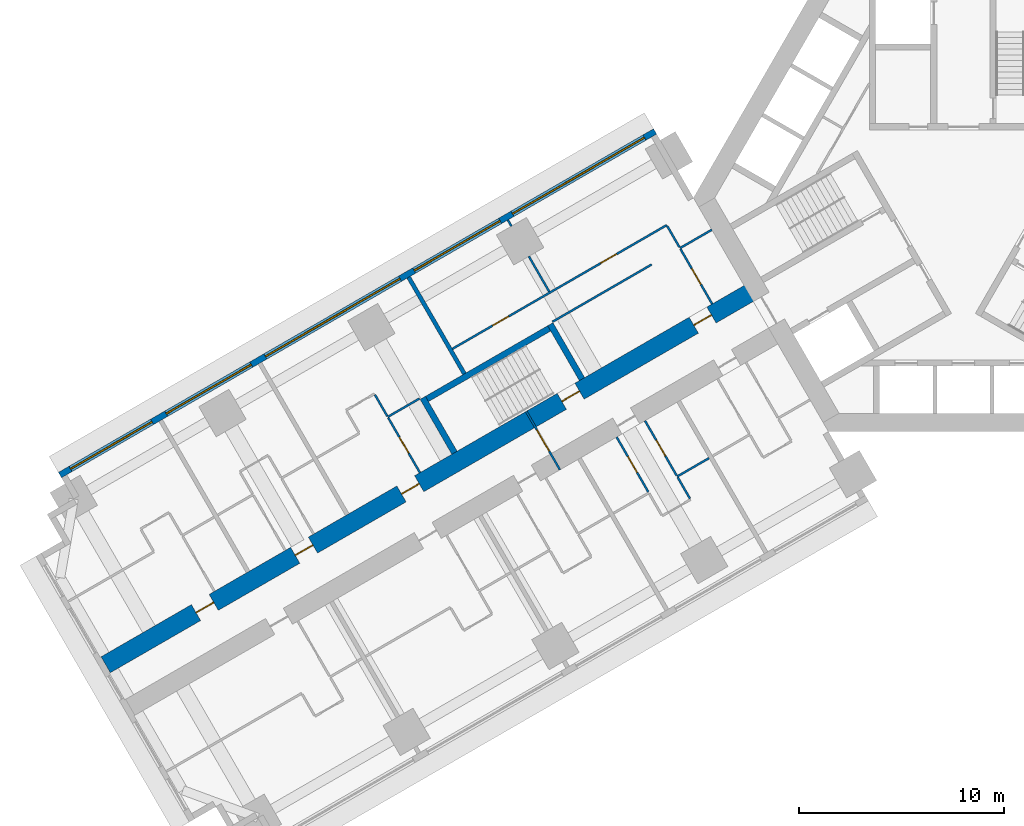
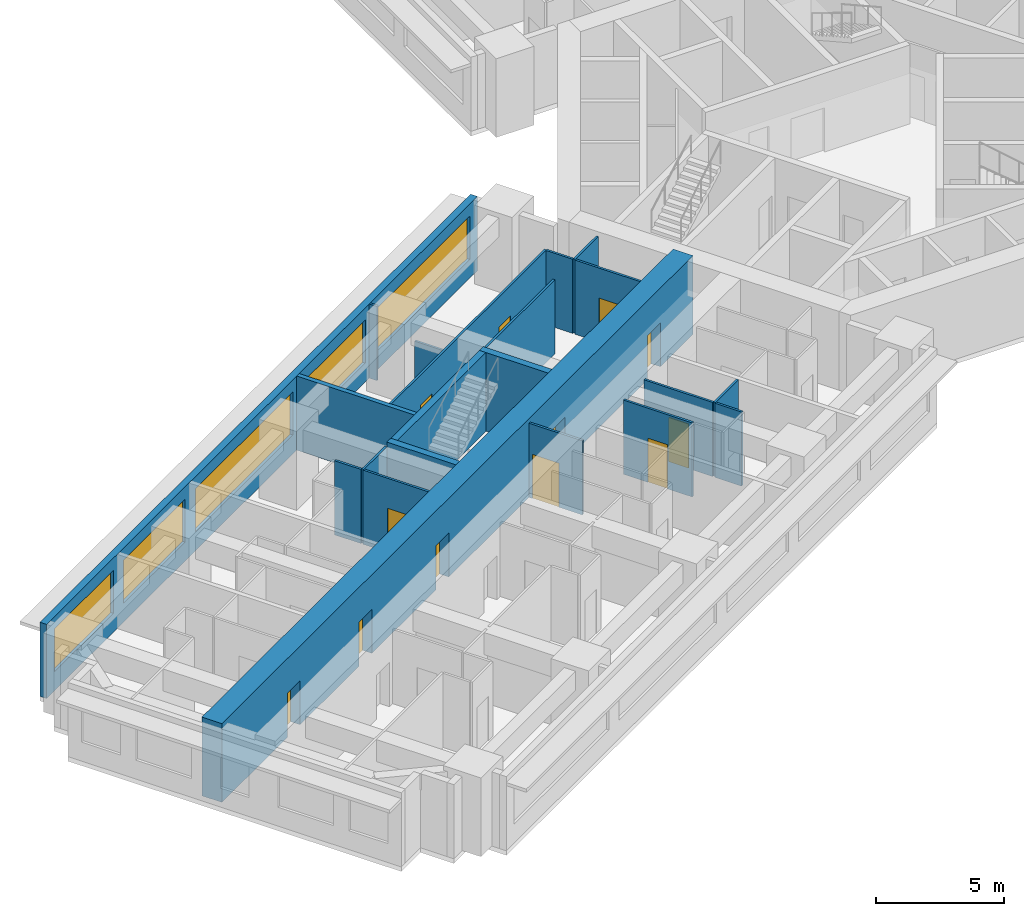
# One storey, part 5 of 17: 21 walls, 12 doors, 5 windows, 17 openings.
"""IFC4 building model written with IfcOpenShell, lengths in metres."""

from ifc_helpers import new_model, si_unit, direction, frame, frame_2d, origin, place, context, subcontext, project, spatial, rectangle, extrude, material, layer, layer_set, type_object, element, fill, save


model = new_model("IFC4")

# Units and contexts
model_context = context("Model", 3, precision=1e-05, world=origin(), true_north=direction((0.0, 1.0)))
body_context = subcontext(model_context, "Body", "Model", "MODEL_VIEW")
ifc_project = project(units=[si_unit("LENGTHUNIT", "METRE"), si_unit("AREAUNIT", "SQUARE_METRE"), si_unit("VOLUMEUNIT", "CUBIC_METRE"), si_unit("PLANEANGLEUNIT", "RADIAN"), si_unit("MASSUNIT", "GRAM", prefix="KILO")], contexts=[model_context])

# Site, building, storey
site_placement = place(None, origin())
site = spatial("IfcSite", under=ifc_project, at=site_placement, CompositionType="ELEMENT")
building_placement = place(site_placement, origin())
building = spatial("IfcBuilding", under=site, at=building_placement, Name="Impinga Residences", CompositionType="ELEMENT")
storey_placement = place(building_placement, frame((0.0, 0.0, 29.75)))
storey = spatial("IfcBuildingStorey", under=building, at=storey_placement, Name="L06", CompositionType="ELEMENT", Elevation=29.75)

# Wall, openings, doors
ifc_material_1 = material(Name="Concrete C70/85", Category="concrete")
ifc_layer_1 = layer(ifc_material_1, 0.89990234375)
ifc_layer_set_1 = layer_set([ifc_layer_1], Name="Concrete C70/85")
wall_type_1 = type_object("IfcWallType", Name="BW1 corridor buttress wall, L05 to L22 900", PredefinedType="SHEAR", material=ifc_layer_set_1)
wall_1_placement = place(storey_placement, frame((-10.1103515625, -4.451416015625, 0.0), z_axis=(0.0, 0.0, 1.0), x_axis=(-0.866025284237, -0.500000207062, 0.0)))
wall_1 = element("IfcWall", 1, at=wall_1_placement, inside=storey, type_object=wall_type_1, Name="Corridor wall BW1 WD L06", PredefinedType="SHEAR", context=body_context, shape_type="SweptSolid", body=[
    extrude(rectangle(XDim=36.75, YDim=0.89990234375, at=frame_2d((18.375, 0.0))), origin(), (0.0, 0.0, 1.0), 3.75),
])
opening_1_placement = place(wall_1_placement, frame((10.0, 0.0, 0.0)))
opening_1 = element("IfcOpeningElement", 2, at=opening_1_placement, cuts=wall_1, Name="Opening D5", PredefinedType="OPENING", context=body_context, shape_type="SweptSolid", body=[
    extrude(rectangle(XDim=1.0, YDim=2.10009765625, at=frame_2d((0.5, 1.050048828125))), frame((0.0, 0.4599609375, 0.0), z_axis=(0.0, -1.0, 0.0), x_axis=(1.0, 0.0, 0.0)), (0.0, 0.0, 1.0), 0.919921875),
])
opening_2_placement = place(wall_1_placement, frame((2.550048828125, 0.0, 0.0)))
opening_2 = element("IfcOpeningElement", 3, at=opening_2_placement, cuts=wall_1, Name="Opening D1", PredefinedType="OPENING", context=body_context, shape_type="SweptSolid", body=[
    extrude(rectangle(XDim=1.0, YDim=2.10009765625, at=frame_2d((0.5, 1.050048828125))), frame((0.0, 0.4599609375, 0.0), z_axis=(0.0, -1.0, 0.0), x_axis=(1.0, 0.0, 0.0)), (0.0, 0.0, 1.0), 0.919921875),
])
opening_3_placement = place(wall_1_placement, frame((19.050048828125, 0.0, 0.0)))
opening_3 = element("IfcOpeningElement", 4, at=opening_3_placement, cuts=wall_1, Name="Opening D1", PredefinedType="OPENING", context=body_context, shape_type="SweptSolid", body=[
    extrude(rectangle(XDim=1.0, YDim=2.10009765625, at=frame_2d((0.5, 1.050048828125))), frame((0.0, 0.4599609375, 0.0), z_axis=(0.0, -1.0, 0.0), x_axis=(1.0, 0.0, 0.0)), (0.0, 0.0, 1.0), 0.919921875),
])
opening_4_placement = place(wall_1_placement, frame((25.050048828125, 0.0, 0.0)))
opening_4 = element("IfcOpeningElement", 5, at=opening_4_placement, cuts=wall_1, Name="Opening D1", PredefinedType="OPENING", context=body_context, shape_type="SweptSolid", body=[
    extrude(rectangle(XDim=1.0, YDim=2.10009765625, at=frame_2d((0.5, 1.050048828125))), frame((0.0, 0.4599609375, 0.0), z_axis=(0.0, -1.0, 0.0), x_axis=(1.0, 0.0, 0.0)), (0.0, 0.0, 1.0), 0.919921875),
])
opening_5_placement = place(wall_1_placement, frame((30.64990234375, 0.0, 0.0)))
opening_5 = element("IfcOpeningElement", 6, at=opening_5_placement, cuts=wall_1, Name="Opening D1", PredefinedType="OPENING", context=body_context, shape_type="SweptSolid", body=[
    extrude(rectangle(XDim=1.0, YDim=2.10009765625, at=frame_2d((0.5, 1.050048828125))), frame((0.0, 0.4599609375, 0.0), z_axis=(0.0, -1.0, 0.0), x_axis=(1.0, 0.0, 0.0)), (0.0, 0.0, 1.0), 0.919921875),
])
ifc_material_2 = material(Name="Timber door set", Category="wood")
door_type_1 = type_object("IfcDoorType", Name="D1 apartment entrance door 1000x2100", OperationType="SINGLE_SWING_LEFT", PredefinedType="DOOR", material=ifc_material_2)
door_1_placement = place(opening_2_placement, origin())
door_1 = element("IfcDoor", 7, at=door_1_placement, inside=storey, type_object=door_type_1, Name="Apartment L06-WF1 entrance", OperationType="SINGLE_SWING_LEFT", OverallHeight=2.10009765625, OverallWidth=1.0, PredefinedType="DOOR", context=body_context, shape_type="SweptSolid", body=[
    extrude(rectangle(XDim=1.0, YDim=2.10009765625, at=frame_2d((0.5, 1.050048828125))), frame((0.0, 0.02490234375, 0.0), z_axis=(0.0, -1.0, 0.0), x_axis=(1.0, 0.0, 0.0)), (0.0, 0.0, 1.0), 0.050048828125),
])
fill(opening_2, door_1)
door_2_placement = place(opening_3_placement, origin())
door_2 = element("IfcDoor", 8, at=door_2_placement, inside=storey, type_object=door_type_1, Name="Apartment L06-WF2 entrance", OperationType="SINGLE_SWING_RIGHT", OverallHeight=2.10009765625, OverallWidth=1.0, PredefinedType="DOOR", context=body_context, shape_type="SweptSolid", body=[
    extrude(rectangle(XDim=1.0, YDim=2.10009765625, at=frame_2d((0.5, 1.050048828125))), frame((0.0, 0.02490234375, 0.0), z_axis=(0.0, -1.0, 0.0), x_axis=(1.0, 0.0, 0.0)), (0.0, 0.0, 1.0), 0.050048828125),
])
fill(opening_3, door_2)
door_3_placement = place(opening_4_placement, origin())
door_3 = element("IfcDoor", 9, at=door_3_placement, inside=storey, type_object=door_type_1, Name="Apartment L06-WF3 entrance", OperationType="SINGLE_SWING_RIGHT", OverallHeight=2.10009765625, OverallWidth=1.0, PredefinedType="DOOR", context=body_context, shape_type="SweptSolid", body=[
    extrude(rectangle(XDim=1.0, YDim=2.10009765625, at=frame_2d((0.5, 1.050048828125))), frame((0.0, 0.02490234375, 0.0), z_axis=(0.0, -1.0, 0.0), x_axis=(1.0, 0.0, 0.0)), (0.0, 0.0, 1.0), 0.050048828125),
])
fill(opening_4, door_3)
door_4_placement = place(opening_5_placement, origin())
door_4 = element("IfcDoor", 10, at=door_4_placement, inside=storey, type_object=door_type_1, Name="Apartment L06-WF4 entrance", OperationType="SINGLE_SWING_RIGHT", OverallHeight=2.10009765625, OverallWidth=1.0, PredefinedType="DOOR", context=body_context, shape_type="SweptSolid", body=[
    extrude(rectangle(XDim=1.0, YDim=2.10009765625, at=frame_2d((0.5, 1.050048828125))), frame((0.0, 0.02490234375, 0.0), z_axis=(0.0, -1.0, 0.0), x_axis=(1.0, 0.0, 0.0)), (0.0, 0.0, 1.0), 0.050048828125),
])
fill(opening_5, door_4)
door_type_2 = type_object("IfcDoorType", Name="D5 stair door 1000x2100", OperationType="SINGLE_SWING_LEFT", PredefinedType="DOOR", material=ifc_material_2)
door_5_placement = place(opening_1_placement, origin())
door_5 = element("IfcDoor", 11, at=door_5_placement, inside=storey, type_object=door_type_2, Name="Wing stair door W", OperationType="SINGLE_SWING_LEFT", OverallHeight=2.10009765625, OverallWidth=1.0, PredefinedType="DOOR", context=body_context, shape_type="SweptSolid", body=[
    extrude(rectangle(XDim=1.0, YDim=2.10009765625, at=frame_2d((0.5, 1.050048828125))), frame((0.0, 0.02490234375, 0.0), z_axis=(0.0, -1.0, 0.0), x_axis=(1.0, 0.0, 0.0)), (0.0, 0.0, 1.0), 0.050048828125),
])
fill(opening_1, door_5)

# Wall, opening, door
ifc_material_3 = material(Name="Concrete blockwork", Category="masonry")
ifc_layer_2 = layer(ifc_material_3, 0.10009765625)
ifc_layer_set_2 = layer_set([ifc_layer_2], Name="CP1 core room partition, blockwork 100")
wall_type_2 = type_object("IfcWallType", Name="CP1 core room partition, blockwork 100", PredefinedType="PARTITIONING", material=ifc_layer_set_2)
wall_2_placement = place(storey_placement, frame((-19.7275390625, -13.294921875, 0.0), z_axis=(0.0, 0.0, 1.0), x_axis=(-0.499974350878, 0.866040211805, 0.0)))
wall_2 = element("IfcWall", 12, at=wall_2_placement, inside=storey, type_object=wall_type_2, Name="Core room partition, blockwork L06:W:SCR", PredefinedType="PARTITIONING", context=body_context, shape_type="SweptSolid", body=[
    extrude(rectangle(XDim=3.300048828125, YDim=0.10009765625, at=frame_2d((1.64990234375, 0.0))), origin(), (0.0, 0.0, 1.0), 3.530029296875),
])
opening_6_placement = place(wall_2_placement, frame((1.050048828125, 0.0, 0.0)))
opening_6 = element("IfcOpeningElement", 13, at=opening_6_placement, cuts=wall_2, Name="Opening D3", PredefinedType="OPENING", context=body_context, shape_type="SweptSolid", body=[
    extrude(rectangle(XDim=1.199951171875, YDim=2.10009765625, at=frame_2d((0.60009765625, 1.050048828125))), frame((0.0, 0.06005859375, 0.0), z_axis=(0.0, -1.0, 0.0), x_axis=(1.0, 0.0, 0.0)), (0.0, 0.0, 1.0), 0.1201171875),
])
door_type_3 = type_object("IfcDoorType", Name="D3 room door, leaf and a half 1200x2100", OperationType="DOUBLE_SWING_LEFT", PredefinedType="DOOR", material=ifc_material_2)
door_6_placement = place(opening_6_placement, origin())
door_6 = element("IfcDoor", 14, at=door_6_placement, inside=storey, type_object=door_type_3, Name="Corridor smoke door W", OperationType="DOUBLE_SWING_LEFT", OverallHeight=2.10009765625, OverallWidth=1.199951171875, PredefinedType="DOOR", context=body_context, shape_type="SweptSolid", body=[
    extrude(rectangle(XDim=1.199951171875, YDim=2.10009765625, at=frame_2d((0.60009765625, 1.050048828125))), frame((0.0, 0.02490234375, 0.0), z_axis=(0.0, -1.0, 0.0), x_axis=(1.0, 0.0, 0.0)), (0.0, 0.0, 1.0), 0.050048828125),
])
fill(opening_6, door_6)

# Wall, openings, windows
ifc_material_4 = material(Name="Terracotta rainscreen on blockwork", Category="masonry")
ifc_layer_3 = layer(ifc_material_4, 0.300048828125)
ifc_layer_set_3 = layer_set([ifc_layer_3], Name="EW1 external wall, terracotta rainscreen on blockwork 300")
wall_type_3 = type_object("IfcWallType", Name="EW1 external wall, terracotta rainscreen on blockwork 300", PredefinedType="SOLIDWALL", material=ifc_layer_set_3)
wall_3_placement = place(storey_placement, frame((-44.17333984375, -13.552490234375, 0.0), z_axis=(0.0, 0.0, 1.0), x_axis=(0.866024291668, 0.500001926238, 0.0)))
wall_3 = element("IfcWall", 15, at=wall_3_placement, inside=storey, type_object=wall_type_3, Name="External wall EW1 L06", PredefinedType="SOLIDWALL", context=body_context, shape_type="SweptSolid", body=[
    extrude(rectangle(XDim=33.599853515625, YDim=0.300048828125, at=frame_2d((16.7998046875, 0.0))), origin(), (0.0, 0.0, 1.0), 3.530029296875),
])
opening_7_placement = place(wall_3_placement, frame((0.60009765625, 0.0, 0.89990234375)))
opening_7 = element("IfcOpeningElement", 16, at=opening_7_placement, cuts=wall_3, Name="Opening W3", PredefinedType="OPENING", context=body_context, shape_type="SweptSolid", body=[
    extrude(rectangle(XDim=4.60009765625, YDim=2.050048828125, at=frame_2d((2.300048828125, 1.02490234375))), frame((0.0, 0.159912109375, 0.0), z_axis=(0.0, -1.0, 0.0), x_axis=(1.0, 0.0, 0.0)), (0.0, 0.0, 1.0), 0.320068359375),
])
opening_8_placement = place(wall_3_placement, frame((6.0, 0.0, 0.89990234375)))
opening_8 = element("IfcOpeningElement", 17, at=opening_8_placement, cuts=wall_3, Name="Opening W8", PredefinedType="OPENING", context=body_context, shape_type="SweptSolid", body=[
    extrude(rectangle(XDim=4.800048828125, YDim=2.050048828125, at=frame_2d((2.39990234375, 1.02490234375))), frame((0.0, 0.159912109375, 0.0), z_axis=(0.0, -1.0, 0.0), x_axis=(1.0, 0.0, 0.0)), (0.0, 0.0, 1.0), 0.320068359375),
])
opening_9_placement = place(wall_3_placement, frame((11.60009765625, 0.0, 0.89990234375)))
opening_9 = element("IfcOpeningElement", 18, at=opening_9_placement, cuts=wall_3, Name="Opening W5", PredefinedType="OPENING", context=body_context, shape_type="SweptSolid", body=[
    extrude(rectangle(XDim=7.60009765625, YDim=2.050048828125, at=frame_2d((3.800048828125, 1.02490234375))), frame((0.0, 0.159912109375, 0.0), z_axis=(0.0, -1.0, 0.0), x_axis=(1.0, 0.0, 0.0)), (0.0, 0.0, 1.0), 0.320068359375),
])
opening_10_placement = place(wall_3_placement, frame((20.0, 0.0, 0.89990234375)))
opening_10 = element("IfcOpeningElement", 19, at=opening_10_placement, cuts=wall_3, Name="Opening W6", PredefinedType="OPENING", context=body_context, shape_type="SweptSolid", body=[
    extrude(rectangle(XDim=4.85009765625, YDim=2.050048828125, at=frame_2d((2.425048828125, 1.02490234375))), frame((0.0, 0.159912109375, 0.0), z_axis=(0.0, -1.0, 0.0), x_axis=(1.0, 0.0, 0.0)), (0.0, 0.0, 1.0), 0.320068359375),
])
opening_11_placement = place(wall_3_placement, frame((25.550048828125, 0.0, 0.89990234375)))
opening_11 = element("IfcOpeningElement", 20, at=opening_11_placement, cuts=wall_3, Name="Opening W7", PredefinedType="OPENING", context=body_context, shape_type="SweptSolid", body=[
    extrude(rectangle(XDim=7.449951171875, YDim=2.050048828125, at=frame_2d((3.72509765625, 1.02490234375))), frame((0.0, 0.159912109375, 0.0), z_axis=(0.0, -1.0, 0.0), x_axis=(1.0, 0.0, 0.0)), (0.0, 0.0, 1.0), 0.320068359375),
])
ifc_material_5 = material(Name="Aluminium window, clear double glazing", Category="aluminium")
window_type_1 = type_object("IfcWindowType", Name="W3 ribbon window 4600x2050", PartitioningType="SINGLE_PANEL", PredefinedType="WINDOW", material=ifc_material_5)
window_1_placement = place(opening_7_placement, origin())
window_1 = element("IfcWindow", 21, at=window_1_placement, inside=storey, type_object=window_type_1, Name="Window L06", OverallHeight=2.050048828125, OverallWidth=4.60009765625, PartitioningType="SINGLE_PANEL", PredefinedType="WINDOW", context=body_context, shape_type="SweptSolid", body=[
    extrude(rectangle(XDim=4.60009765625, YDim=2.050048828125, at=frame_2d((2.300048828125, 1.02490234375))), frame((0.0, 0.030029296875, 0.0), z_axis=(0.0, -1.0, 0.0), x_axis=(1.0, 0.0, 0.0)), (0.0, 0.0, 1.0), 0.06005859375),
])
fill(opening_7, window_1)
window_type_2 = type_object("IfcWindowType", Name="W5 ribbon window 7600x2050", PartitioningType="SINGLE_PANEL", PredefinedType="WINDOW", material=ifc_material_5)
window_2_placement = place(opening_9_placement, origin())
window_2 = element("IfcWindow", 22, at=window_2_placement, inside=storey, type_object=window_type_2, Name="Window L06", OverallHeight=2.050048828125, OverallWidth=7.60009765625, PartitioningType="SINGLE_PANEL", PredefinedType="WINDOW", context=body_context, shape_type="SweptSolid", body=[
    extrude(rectangle(XDim=7.60009765625, YDim=2.050048828125, at=frame_2d((3.800048828125, 1.02490234375))), frame((0.0, 0.030029296875, 0.0), z_axis=(0.0, -1.0, 0.0), x_axis=(1.0, 0.0, 0.0)), (0.0, 0.0, 1.0), 0.06005859375),
])
fill(opening_9, window_2)
window_type_3 = type_object("IfcWindowType", Name="W6 ribbon window 4850x2050", PartitioningType="SINGLE_PANEL", PredefinedType="WINDOW", material=ifc_material_5)
window_3_placement = place(opening_10_placement, origin())
window_3 = element("IfcWindow", 23, at=window_3_placement, inside=storey, type_object=window_type_3, Name="Window L06", OverallHeight=2.050048828125, OverallWidth=4.85009765625, PartitioningType="SINGLE_PANEL", PredefinedType="WINDOW", context=body_context, shape_type="SweptSolid", body=[
    extrude(rectangle(XDim=4.85009765625, YDim=2.050048828125, at=frame_2d((2.425048828125, 1.02490234375))), frame((0.0, 0.030029296875, 0.0), z_axis=(0.0, -1.0, 0.0), x_axis=(1.0, 0.0, 0.0)), (0.0, 0.0, 1.0), 0.06005859375),
])
fill(opening_10, window_3)
window_type_4 = type_object("IfcWindowType", Name="W7 ribbon window 7450x2050", PartitioningType="SINGLE_PANEL", PredefinedType="WINDOW", material=ifc_material_5)
window_4_placement = place(opening_11_placement, origin())
window_4 = element("IfcWindow", 24, at=window_4_placement, inside=storey, type_object=window_type_4, Name="Window L06", OverallHeight=2.050048828125, OverallWidth=7.449951171875, PartitioningType="SINGLE_PANEL", PredefinedType="WINDOW", context=body_context, shape_type="SweptSolid", body=[
    extrude(rectangle(XDim=7.449951171875, YDim=2.050048828125, at=frame_2d((3.72509765625, 1.02490234375))), frame((0.0, 0.030029296875, 0.0), z_axis=(0.0, -1.0, 0.0), x_axis=(1.0, 0.0, 0.0)), (0.0, 0.0, 1.0), 0.06005859375),
])
fill(opening_11, window_4)
window_type_5 = type_object("IfcWindowType", Name="W8 ribbon window 4800x2050", PartitioningType="SINGLE_PANEL", PredefinedType="WINDOW", material=ifc_material_5)
window_5_placement = place(opening_8_placement, origin())
window_5 = element("IfcWindow", 25, at=window_5_placement, inside=storey, type_object=window_type_5, Name="Window L06", OverallHeight=2.050048828125, OverallWidth=4.800048828125, PartitioningType="SINGLE_PANEL", PredefinedType="WINDOW", context=body_context, shape_type="SweptSolid", body=[
    extrude(rectangle(XDim=4.800048828125, YDim=2.050048828125, at=frame_2d((2.39990234375, 1.02490234375))), frame((0.0, 0.030029296875, 0.0), z_axis=(0.0, -1.0, 0.0), x_axis=(1.0, 0.0, 0.0)), (0.0, 0.0, 1.0), 0.06005859375),
])
fill(opening_8, window_5)

# Walls
ifc_material_6 = material(Name="Gypsum board on steel studs", Category="steel")
ifc_layer_4 = layer(ifc_material_6, 0.10009765625)
ifc_layer_set_4 = layer_set([ifc_layer_4], Name="Gypsum board on steel studs")
wall_type_4 = type_object("IfcWallType", Name="IP1 partition 100", PredefinedType="PARTITIONING", material=ifc_layer_set_4)
wall_4_placement = place(storey_placement, frame((-12.436279296875, -12.72265625, 0.0), z_axis=(0.0, 0.0, 1.0), x_axis=(-0.865989075817, -0.500062916607, 0.0)))
element("IfcWall", 26, at=wall_4_placement, inside=storey, type_object=wall_type_4, Name="Partition L06-WA2:DIV0", PredefinedType="PARTITIONING", context=body_context, shape_type="SweptSolid", body=[
    extrude(rectangle(XDim=1.800048828125, YDim=0.10009765625, at=frame_2d((0.89990234375, 0.0))), origin(), (0.0, 0.0, 1.0), 3.530029296875),
])
wall_5_placement = place(storey_placement, frame((-13.97021484375, -13.666015625, 0.0), z_axis=(0.0, 0.0, 1.0), x_axis=(0.500033551112, -0.866006032174, 0.0)))
element("IfcWall", 27, at=wall_5_placement, inside=storey, type_object=wall_type_4, Name="Partition L06-WA2:SE0", PredefinedType="PARTITIONING", context=body_context, shape_type="SweptSolid", body=[
    extrude(rectangle(XDim=1.2001953125, YDim=0.10009765625, at=frame_2d((0.60009765625, 0.0))), origin(), (0.0, 0.0, 1.0), 3.530029296875),
])

# Wall, opening, door
wall_6_placement = place(storey_placement, frame((-15.5703125, -10.894775390625, 0.0), z_axis=(0.0, 0.0, 1.0), x_axis=(0.500026960575, -0.86600983753, 0.0)))
wall_6 = element("IfcWall", 28, at=wall_6_placement, inside=storey, type_object=wall_type_4, Name="Partition L06-WA2:IB1", PredefinedType="PARTITIONING", context=body_context, shape_type="SweptSolid", body=[
    extrude(rectangle(XDim=3.099853515625, YDim=0.10009765625, at=frame_2d((1.5498046875, 0.0))), origin(), (0.0, 0.0, 1.0), 3.530029296875),
])
opening_12_placement = place(wall_6_placement, frame((1.10009765625, 0.0, 0.0)))
opening_12 = element("IfcOpeningElement", 29, at=opening_12_placement, cuts=wall_6, Name="Opening D2", PredefinedType="OPENING", context=body_context, shape_type="SweptSolid", body=[
    extrude(rectangle(XDim=0.89990234375, YDim=2.10009765625, at=frame_2d((0.449951171875, 1.050048828125))), frame((0.0, 0.06005859375, 0.0), z_axis=(0.0, -1.0, 0.0), x_axis=(1.0, 0.0, 0.0)), (0.0, 0.0, 1.0), 0.1201171875),
])
door_type_4 = type_object("IfcDoorType", Name="D2 internal door 900x2100", OperationType="SINGLE_SWING_LEFT", PredefinedType="DOOR", material=ifc_material_2)
door_7_placement = place(opening_12_placement, origin())
door_7 = element("IfcDoor", 30, at=door_7_placement, inside=storey, type_object=door_type_4, Name="Apartment L06-WA2 bathroom door", OperationType="SINGLE_SWING_LEFT", OverallHeight=2.10009765625, OverallWidth=0.89990234375, PredefinedType="DOOR", context=body_context, shape_type="SweptSolid", body=[
    extrude(rectangle(XDim=0.89990234375, YDim=2.10009765625, at=frame_2d((0.449951171875, 1.050048828125))), frame((0.0, 0.02490234375, 0.0), z_axis=(0.0, -1.0, 0.0), x_axis=(1.0, 0.0, 0.0)), (0.0, 0.0, 1.0), 0.050048828125),
])
fill(opening_12, door_7)

wall_7_placement = place(storey_placement, frame((-16.955810546875, -11.69482421875, 0.0), z_axis=(0.0, 0.0, 1.0), x_axis=(0.500026960575, -0.86600983753, 0.0)))
wall_7 = element("IfcWall", 31, at=wall_7_placement, inside=storey, type_object=wall_type_4, Name="Partition L06-WA2:IB2", PredefinedType="PARTITIONING", context=body_context, shape_type="SweptSolid", body=[
    extrude(rectangle(XDim=3.099853515625, YDim=0.10009765625, at=frame_2d((1.5498046875, 0.0))), origin(), (0.0, 0.0, 1.0), 3.530029296875),
])
opening_13_placement = place(wall_7_placement, frame((1.10009765625, 0.0, 0.0)))
opening_13 = element("IfcOpeningElement", 32, at=opening_13_placement, cuts=wall_7, Name="Opening D2", PredefinedType="OPENING", context=body_context, shape_type="SweptSolid", body=[
    extrude(rectangle(XDim=0.89990234375, YDim=2.10009765625, at=frame_2d((0.449951171875, 1.050048828125))), frame((0.0, 0.06005859375, 0.0), z_axis=(0.0, -1.0, 0.0), x_axis=(1.0, 0.0, 0.0)), (0.0, 0.0, 1.0), 0.1201171875),
])
door_8_placement = place(opening_13_placement, origin())
door_8 = element("IfcDoor", 33, at=door_8_placement, inside=storey, type_object=door_type_4, Name="Apartment L06-WA2 WC door", OperationType="SINGLE_SWING_LEFT", OverallHeight=2.10009765625, OverallWidth=0.89990234375, PredefinedType="DOOR", context=body_context, shape_type="SweptSolid", body=[
    extrude(rectangle(XDim=0.89990234375, YDim=2.10009765625, at=frame_2d((0.449951171875, 1.050048828125))), frame((0.0, 0.02490234375, 0.0), z_axis=(0.0, -1.0, 0.0), x_axis=(1.0, 0.0, 0.0)), (0.0, 0.0, 1.0), 0.050048828125),
])
fill(opening_13, door_8)

# Walls
wall_8_placement = place(storey_placement, frame((-12.300048828125, -1.558837890625, 0.0), z_axis=(0.0, 0.0, 1.0), x_axis=(-0.866047807691, -0.499961193289, 0.0)))
element("IfcWall", 34, at=wall_8_placement, inside=storey, type_object=wall_type_4, Name="Partition L06-WF1:DIV0", PredefinedType="PARTITIONING", context=body_context, shape_type="SweptSolid", body=[
    extrude(rectangle(XDim=1.800048828125, YDim=0.10009765625, at=frame_2d((0.89990234375, 0.0))), origin(), (0.0, 0.0, 1.0), 3.530029296875),
])
wall_9_placement = place(storey_placement, frame((-15.244384765625, -3.2587890625, 0.0), z_axis=(0.0, 0.0, 1.0), x_axis=(-0.866026594901, -0.49999793692, 0.0)))
element("IfcWall", 35, at=wall_9_placement, inside=storey, type_object=wall_type_4, Name="Partition L06-WF1:DIV1", PredefinedType="PARTITIONING", context=body_context, shape_type="SweptSolid", body=[
    extrude(rectangle(XDim=5.60009765625, YDim=0.10009765625, at=frame_2d((2.800048828125, 0.0))), origin(), (0.0, 0.0, 1.0), 3.530029296875),
])

# Wall, openings, doors
wall_10_placement = place(storey_placement, frame((-14.5087890625, -1.3330078125, 0.0), z_axis=(0.0, 0.0, 1.0), x_axis=(-0.866025650635, -0.499999572443, 0.0)))
wall_10 = element("IfcWall", 36, at=wall_10_placement, inside=storey, type_object=wall_type_4, Name="Partition L06-WF1:STRIP", PredefinedType="PARTITIONING", context=body_context, shape_type="SweptSolid", body=[
    extrude(rectangle(XDim=12.10009765625, YDim=0.10009765625, at=frame_2d((6.050048828125, 0.0))), origin(), (0.0, 0.0, 1.0), 3.530029296875),
])
opening_14_placement = place(wall_10_placement, frame((2.824951171875, 0.0, 0.0)))
opening_14 = element("IfcOpeningElement", 37, at=opening_14_placement, cuts=wall_10, Name="Opening D2", PredefinedType="OPENING", context=body_context, shape_type="SweptSolid", body=[
    extrude(rectangle(XDim=0.89990234375, YDim=2.10009765625, at=frame_2d((0.449951171875, 1.050048828125))), frame((0.0, 0.06005859375, 0.0), z_axis=(0.0, -1.0, 0.0), x_axis=(1.0, 0.0, 0.0)), (0.0, 0.0, 1.0), 0.1201171875),
])
opening_15_placement = place(wall_10_placement, frame((8.925048828125, 0.0, 0.0)))
opening_15 = element("IfcOpeningElement", 38, at=opening_15_placement, cuts=wall_10, Name="Opening D2", PredefinedType="OPENING", context=body_context, shape_type="SweptSolid", body=[
    extrude(rectangle(XDim=0.89990234375, YDim=2.10009765625, at=frame_2d((0.449951171875, 1.050048828125))), frame((0.0, 0.06005859375, 0.0), z_axis=(0.0, -1.0, 0.0), x_axis=(1.0, 0.0, 0.0)), (0.0, 0.0, 1.0), 0.1201171875),
])
door_9_placement = place(opening_14_placement, origin())
door_9 = element("IfcDoor", 39, at=door_9_placement, inside=storey, type_object=door_type_4, Name="Apartment L06-WF1 room door", OperationType="SINGLE_SWING_LEFT", OverallHeight=2.10009765625, OverallWidth=0.89990234375, PredefinedType="DOOR", context=body_context, shape_type="SweptSolid", body=[
    extrude(rectangle(XDim=0.89990234375, YDim=2.10009765625, at=frame_2d((0.449951171875, 1.050048828125))), frame((0.0, 0.02490234375, 0.0), z_axis=(0.0, -1.0, 0.0), x_axis=(1.0, 0.0, 0.0)), (0.0, 0.0, 1.0), 0.050048828125),
])
fill(opening_14, door_9)
door_10_placement = place(opening_15_placement, origin())
door_10 = element("IfcDoor", 40, at=door_10_placement, inside=storey, type_object=door_type_4, Name="Apartment L06-WF1 room door", OperationType="SINGLE_SWING_RIGHT", OverallHeight=2.10009765625, OverallWidth=0.89990234375, PredefinedType="DOOR", context=body_context, shape_type="SweptSolid", body=[
    extrude(rectangle(XDim=0.89990234375, YDim=2.10009765625, at=frame_2d((0.449951171875, 1.050048828125))), frame((0.0, 0.02490234375, 0.0), z_axis=(0.0, -1.0, 0.0), x_axis=(1.0, 0.0, 0.0)), (0.0, 0.0, 1.0), 0.050048828125),
])
fill(opening_15, door_10)

# Wall
wall_11_placement = place(storey_placement, frame((-13.8837890625, -2.41552734375, 0.0), z_axis=(0.0, 0.0, 1.0), x_axis=(-0.500033551112, 0.866006032174, 0.0)))
element("IfcWall", 41, at=wall_11_placement, inside=storey, type_object=wall_type_4, Name="Partition L06-WF1:SE0", PredefinedType="PARTITIONING", context=body_context, shape_type="SweptSolid", body=[
    extrude(rectangle(XDim=1.2001953125, YDim=0.10009765625, at=frame_2d((0.60009765625, 0.0))), origin(), (0.0, 0.0, 1.0), 3.530029296875),
])

# Wall, opening, door
wall_12_placement = place(storey_placement, frame((-12.283935546875, -5.186767578125, 0.0), z_axis=(0.0, 0.0, 1.0), x_axis=(-0.499967891604, 0.866043940782, 0.0)))
wall_12 = element("IfcWall", 42, at=wall_12_placement, inside=storey, type_object=wall_type_4, Name="Partition L06-WF1:IB1", PredefinedType="PARTITIONING", context=body_context, shape_type="SweptSolid", body=[
    extrude(rectangle(XDim=3.099853515625, YDim=0.10009765625, at=frame_2d((1.5498046875, 0.0))), origin(), (0.0, 0.0, 1.0), 3.530029296875),
])
opening_16_placement = place(wall_12_placement, frame((1.10009765625, 0.0, 0.0)))
opening_16 = element("IfcOpeningElement", 43, at=opening_16_placement, cuts=wall_12, Name="Opening D2", PredefinedType="OPENING", context=body_context, shape_type="SweptSolid", body=[
    extrude(rectangle(XDim=0.89990234375, YDim=2.10009765625, at=frame_2d((0.449951171875, 1.050048828125))), frame((0.0, 0.06005859375, 0.0), z_axis=(0.0, -1.0, 0.0), x_axis=(1.0, 0.0, 0.0)), (0.0, 0.0, 1.0), 0.1201171875),
])
door_11_placement = place(opening_16_placement, origin())
door_11 = element("IfcDoor", 44, at=door_11_placement, inside=storey, type_object=door_type_4, Name="Apartment L06-WF1 bathroom door", OperationType="SINGLE_SWING_LEFT", OverallHeight=2.10009765625, OverallWidth=0.89990234375, PredefinedType="DOOR", context=body_context, shape_type="SweptSolid", body=[
    extrude(rectangle(XDim=0.89990234375, YDim=2.10009765625, at=frame_2d((0.449951171875, 1.050048828125))), frame((0.0, 0.02490234375, 0.0), z_axis=(0.0, -1.0, 0.0), x_axis=(1.0, 0.0, 0.0)), (0.0, 0.0, 1.0), 0.050048828125),
])
fill(opening_16, door_11)

# Walls
wall_13_placement = place(storey_placement, frame((-20.24951171875, -4.589599609375, 0.0), z_axis=(0.0, 0.0, 1.0), x_axis=(-0.50002537861, 0.866010750942, 0.0)))
element("IfcWall", 45, at=wall_13_placement, inside=storey, type_object=wall_type_4, Name="Partition L06-WF1:OB1", PredefinedType="PARTITIONING", context=body_context, shape_type="SweptSolid", body=[
    extrude(rectangle(XDim=2.0, YDim=0.10009765625, at=frame_2d((1.0, 0.0))), origin(), (0.0, 0.0, 1.0), 2.47998046875),
])
wall_14_placement = place(storey_placement, frame((-22.099609375, -1.385498046875, 0.0), z_axis=(0.0, 0.0, 1.0), x_axis=(-0.49996389635, 0.866046247233, 0.0)))
element("IfcWall", 46, at=wall_14_placement, inside=storey, type_object=wall_type_4, Name="Partition L06-WF1:OB1b", PredefinedType="PARTITIONING", context=body_context, shape_type="SweptSolid", body=[
    extrude(rectangle(XDim=0.35009765625, YDim=0.10009765625, at=frame_2d((0.175048828125, 0.0))), origin(), (0.0, 0.0, 1.0), 3.530029296875),
])
wall_15_placement = place(storey_placement, frame((-26.58935546875, -9.808837890625, 0.0), z_axis=(0.0, 0.0, 1.0), x_axis=(-0.866047807691, -0.499961193289, 0.0)))
element("IfcWall", 47, at=wall_15_placement, inside=storey, type_object=wall_type_4, Name="Partition L06-WF2:DIV0", PredefinedType="PARTITIONING", context=body_context, shape_type="SweptSolid", body=[
    extrude(rectangle(XDim=1.800048828125, YDim=0.10009765625, at=frame_2d((0.89990234375, 0.0))), origin(), (0.0, 0.0, 1.0), 3.530029296875),
])
wall_16_placement = place(storey_placement, frame((-28.17333984375, -10.66552734375, 0.0), z_axis=(0.0, 0.0, 1.0), x_axis=(-0.499880961361, 0.866094119867, 0.0)))
element("IfcWall", 48, at=wall_16_placement, inside=storey, type_object=wall_type_4, Name="Partition L06-WF2:SE0", PredefinedType="PARTITIONING", context=body_context, shape_type="SweptSolid", body=[
    extrude(rectangle(XDim=1.199951171875, YDim=0.10009765625, at=frame_2d((0.60009765625, 0.0))), origin(), (0.0, 0.0, 1.0), 3.530029296875),
])

# Wall, opening, door
wall_17_placement = place(storey_placement, frame((-26.5732421875, -13.436767578125, 0.0), z_axis=(0.0, 0.0, 1.0), x_axis=(-0.500026960575, 0.86600983753, 0.0)))
wall_17 = element("IfcWall", 49, at=wall_17_placement, inside=storey, type_object=wall_type_4, Name="Partition L06-WF2:IB1", PredefinedType="PARTITIONING", context=body_context, shape_type="SweptSolid", body=[
    extrude(rectangle(XDim=3.099853515625, YDim=0.10009765625, at=frame_2d((1.5498046875, 0.0))), origin(), (0.0, 0.0, 1.0), 3.530029296875),
])
opening_17_placement = place(wall_17_placement, frame((1.10009765625, 0.0, 0.0)))
opening_17 = element("IfcOpeningElement", 50, at=opening_17_placement, cuts=wall_17, Name="Opening D2", PredefinedType="OPENING", context=body_context, shape_type="SweptSolid", body=[
    extrude(rectangle(XDim=0.89990234375, YDim=2.10009765625, at=frame_2d((0.449951171875, 1.050048828125))), frame((0.0, 0.06005859375, 0.0), z_axis=(0.0, -1.0, 0.0), x_axis=(1.0, 0.0, 0.0)), (0.0, 0.0, 1.0), 0.1201171875),
])
door_12_placement = place(opening_17_placement, origin())
door_12 = element("IfcDoor", 51, at=door_12_placement, inside=storey, type_object=door_type_4, Name="Apartment L06-WF2 bathroom door", OperationType="SINGLE_SWING_LEFT", OverallHeight=2.10009765625, OverallWidth=0.89990234375, PredefinedType="DOOR", context=body_context, shape_type="SweptSolid", body=[
    extrude(rectangle(XDim=0.89990234375, YDim=2.10009765625, at=frame_2d((0.449951171875, 1.050048828125))), frame((0.0, 0.02490234375, 0.0), z_axis=(0.0, -1.0, 0.0), x_axis=(1.0, 0.0, 0.0)), (0.0, 0.0, 1.0), 0.050048828125),
])
fill(opening_17, door_12)

# Walls
ifc_layer_5 = layer(ifc_material_3, 0.199951171875)
ifc_layer_set_5 = layer_set([ifc_layer_5], Name="PW1 party wall between apartments 200")
wall_type_5 = type_object("IfcWallType", Name="PW1 party wall between apartments 200", PredefinedType="SOLIDWALL", material=ifc_layer_set_5)
wall_18_placement = place(storey_placement, frame((-24.3994140625, -8.60205078125, 0.0), z_axis=(0.0, 0.0, 1.0), x_axis=(-0.499988730927, 0.866031909889, 0.0)))
element("IfcWall", 52, at=wall_18_placement, inside=storey, type_object=wall_type_5, Name="Party wall between apartments L06-WF1:PARTY", PredefinedType="SOLIDWALL", context=body_context, shape_type="SweptSolid", body=[
    extrude(rectangle(XDim=5.449951171875, YDim=0.199951171875, at=frame_2d((2.72509765625, 0.0))), origin(), (0.0, 0.0, 1.0), 3.530029296875),
])
ifc_material_7 = material(Name="Concrete C60/75", Category="concrete")
ifc_layer_6 = layer(ifc_material_7, 0.300048828125)
ifc_layer_set_6 = layer_set([ifc_layer_6], Name="Concrete C60/75")
wall_type_6 = type_object("IfcWallType", Name="SE1 wing stair enclosure wall 300", PredefinedType="SOLIDWALL", material=ifc_layer_set_6)
wall_19_placement = place(storey_placement, frame((-18.649169921875, -8.86181640625, 0.0), z_axis=(0.0, 0.0, 1.0), x_axis=(-0.500026960575, 0.86600983753, 0.0)))
element("IfcWall", 53, at=wall_19_placement, inside=storey, type_object=wall_type_6, Name="Stair enclosure wall SE1 W END0 L06", PredefinedType="SOLIDWALL", context=body_context, shape_type="SweptSolid", body=[
    extrude(rectangle(XDim=3.099853515625, YDim=0.300048828125, at=frame_2d((1.5498046875, 0.0))), origin(), (0.0, 0.0, 1.0), 3.75),
])
wall_20_placement = place(storey_placement, frame((-24.884521484375, -12.4619140625, 0.0), z_axis=(0.0, 0.0, 1.0), x_axis=(-0.49999285859, 0.86602952684, 0.0)))
element("IfcWall", 54, at=wall_20_placement, inside=storey, type_object=wall_type_6, Name="Stair enclosure wall SE1 W END1 L06", PredefinedType="SOLIDWALL", context=body_context, shape_type="SweptSolid", body=[
    extrude(rectangle(XDim=3.10009765625, YDim=0.300048828125, at=frame_2d((1.550048828125, 0.0))), origin(), (0.0, 0.0, 1.0), 3.75),
])
wall_21_placement = place(storey_placement, frame((-20.254150390625, -6.382080078125, 0.0), z_axis=(0.0, 0.0, 1.0), x_axis=(-0.866020008033, -0.500009345598, 0.0)))
element("IfcWall", 55, at=wall_21_placement, inside=storey, type_object=wall_type_6, Name="Stair enclosure wall SE1 W OUT L06", PredefinedType="SOLIDWALL", context=body_context, shape_type="SweptSolid", body=[
    extrude(rectangle(XDim=6.899658203125, YDim=0.300048828125, at=frame_2d((3.44970703125, 0.0))), origin(), (0.0, 0.0, 1.0), 3.75),
])

save(model, "model.ifc")
